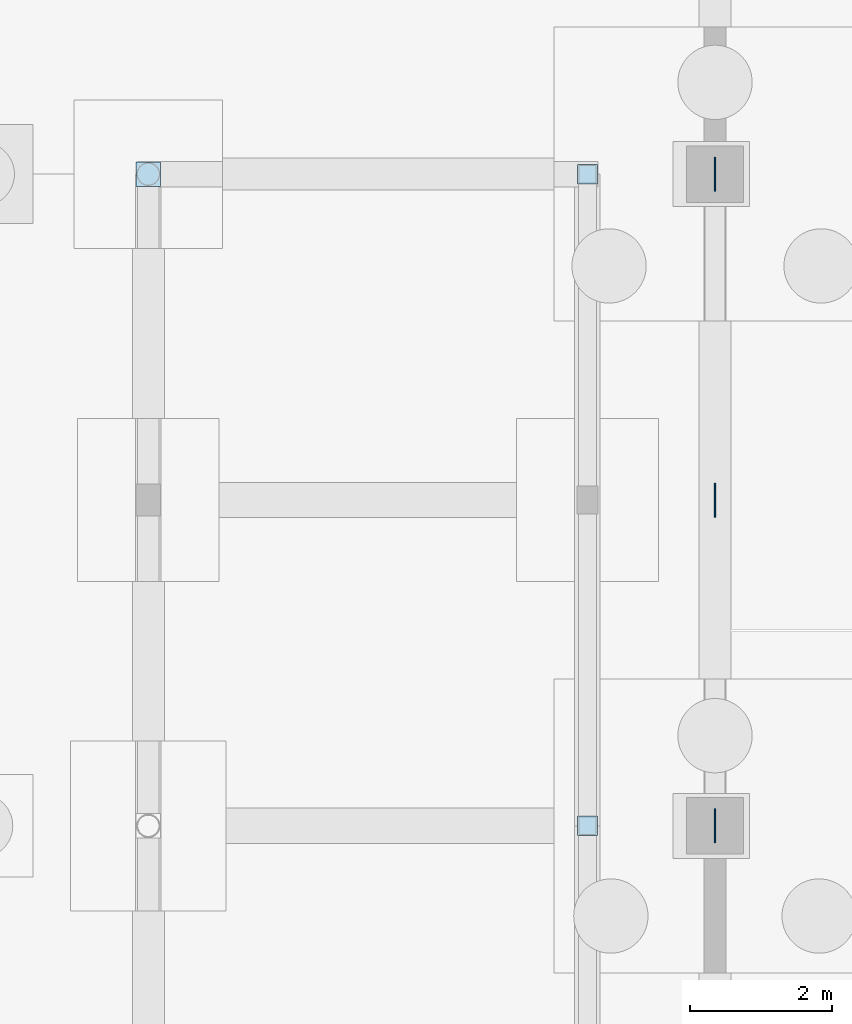
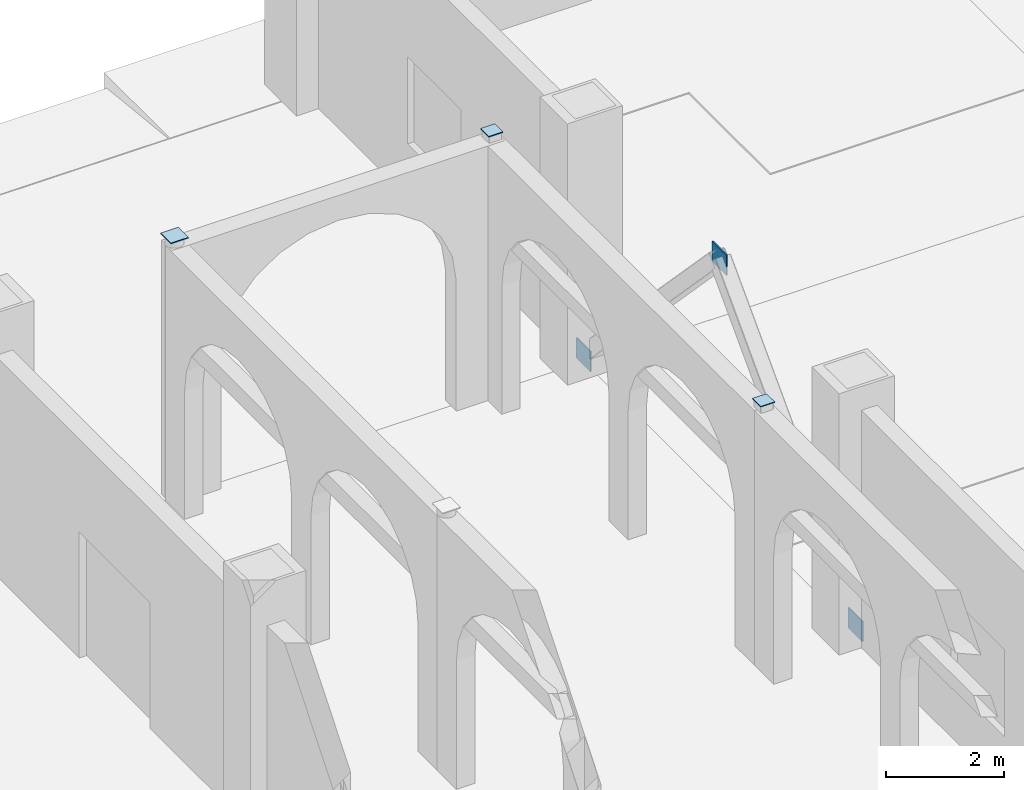
# One storey, part 43 of 83: 6 plates.
"""IFC4 building model written with IfcOpenShell, lengths in metres."""

from ifc_helpers import new_model, si_unit, direction, frame, origin, origin_2d, place, context, subcontext, project, spatial, rectangle, extrude, material, layer, layer_set, type_object, element, save


model = new_model("IFC4")

# Units and contexts
model_context = context("Model", 3, precision=1e-05, world=origin(), true_north=direction((0.0, 1.0)))
body_context = subcontext(model_context, "Body", "Model", "MODEL_VIEW")
ifc_project = project(units=[si_unit("LENGTHUNIT", "METRE"), si_unit("AREAUNIT", "SQUARE_METRE"), si_unit("VOLUMEUNIT", "CUBIC_METRE"), si_unit("PLANEANGLEUNIT", "RADIAN"), si_unit("MASSUNIT", "GRAM", prefix="KILO")], contexts=[model_context])

# Site, building, storey
site_placement = place(None, origin())
site = spatial("IfcSite", under=ifc_project, at=site_placement, CompositionType="ELEMENT")
building_placement = place(site_placement, origin())
building = spatial("IfcBuilding", under=site, at=building_placement, Name="Caurita Quay Ferry Terminal", CompositionType="ELEMENT")
storey_placement = place(building_placement, origin())
storey = spatial("IfcBuildingStorey", under=building, at=storey_placement, Name="L00", CompositionType="ELEMENT", Elevation=0.0)

# Plates
ifc_material = material(Name="Structural plate steel ASTM A572 Gr. 50", Category="steel")
ifc_layer_1 = layer(ifc_material, 0.01806640625, Name="Structural steel connection plate 18 mm")
ifc_layer_set_1 = layer_set([ifc_layer_1], Name="Structural plate steel ASTM A572 Gr. 50")
plate_type_1 = type_object("IfcPlateType", Name="PLT-STL-18", PredefinedType="USERDEFINED", material=ifc_layer_set_1)
plate_1_placement = place(storey_placement, frame((91.199951171875, 107.800048828125, 5.39892578125), z_axis=(0.0, 0.0, 1.0), x_axis=(1.0, 0.0, 0.0)))
element("IfcPlate", 1, at=plate_1_placement, inside=storey, type_object=plate_type_1, Name="L00 Hollow Column End-Cap Plate V6-W-Q", ObjectType="GUSSET PLATE", PredefinedType="USERDEFINED", context=body_context, shape_type="SweptSolid", body=[
    extrude(rectangle(XDim=0.347900390625, YDim=0.347900390625, at=origin_2d()), origin(), (0.0, 0.0, 1.0), 0.01806640625),
])
for number, where, z_axis, x_axis, name in (
    (2, (97.39990234375, 98.60009765625, 5.39892578125), (0.0, 0.0, 1.0), (1.0, 0.0, 0.0), "L00 Hollow Column End-Cap Plate V6-E-P"),
    (3, (97.39990234375, 107.800048828125, 5.39892578125), (0.0, 0.0, 1.0), (1.0, 0.0, 0.0), "L00 Hollow Column End-Cap Plate V6-E-Q"),
):
    element("IfcPlate", number, at=place(storey_placement, frame(where, z_axis=z_axis, x_axis=x_axis)), inside=storey, type_object=plate_type_1, Name=name, ObjectType="GUSSET PLATE", PredefinedType="USERDEFINED", context=body_context, shape_type="SweptSolid", body=[
        extrude(rectangle(XDim=0.278076171875, YDim=0.278076171875, at=origin_2d()), origin(), (0.0, 0.0, 1.0), 0.01806640625),
    ])
for number, where, z_axis, x_axis, name in (
    (4, (99.199951171875, 98.60009765625, -0.06005859375), (0.0, 0.0, 1.0), (0.0, 1.0, 0.0), "L00 Seismic Brace Gusset 08-BSL"),
    (5, (99.199951171875, 107.800048828125, -0.06005859375), (0.0, 0.0, 1.0), (0.0, 1.0, 0.0), "L00 Seismic Brace Gusset 08-BSR"),
):
    element("IfcPlate", number, at=place(storey_placement, frame(where, z_axis=z_axis, x_axis=x_axis)), inside=storey, type_object=plate_type_1, Name=name, ObjectType="GUSSET PLATE", PredefinedType="USERDEFINED", context=body_context, shape_type="SweptSolid", body=[
        extrude(rectangle(XDim=0.47998046875, YDim=0.02490234375, at=origin_2d()), origin(), (0.0, 0.0, 1.0), 0.419921875),
    ])
ifc_layer_2 = layer(ifc_material, 0.02490234375, Name="Structural steel connection plate 25 mm")
ifc_layer_set_2 = layer_set([ifc_layer_2], Name="Structural plate steel ASTM A572 Gr. 50")
plate_type_2 = type_object("IfcPlateType", Name="PLT-STL-25", PredefinedType="USERDEFINED", material=ifc_layer_set_2)
plate_2_placement = place(storey_placement, frame((99.199951171875, 103.199951171875, 4.719970703125), z_axis=(0.0, 0.0, 1.0), x_axis=(0.0, 1.0, 0.0)))
element("IfcPlate", 6, at=plate_2_placement, inside=storey, type_object=plate_type_2, Name="L00 Seismic Brace Gusset 08-APX", ObjectType="GUSSET PLATE", PredefinedType="USERDEFINED", context=body_context, shape_type="SweptSolid", body=[
    extrude(rectangle(XDim=0.47998046875, YDim=0.02490234375, at=origin_2d()), origin(), (0.0, 0.0, 1.0), 0.419921875),
])

save(model, "model.ifc")
